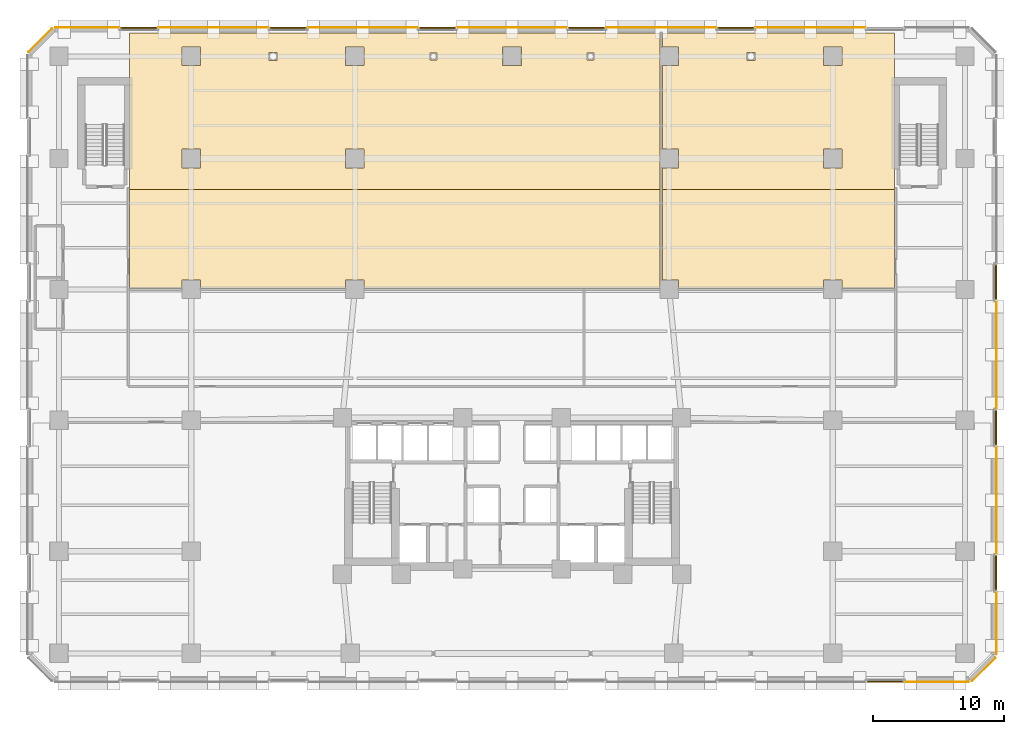
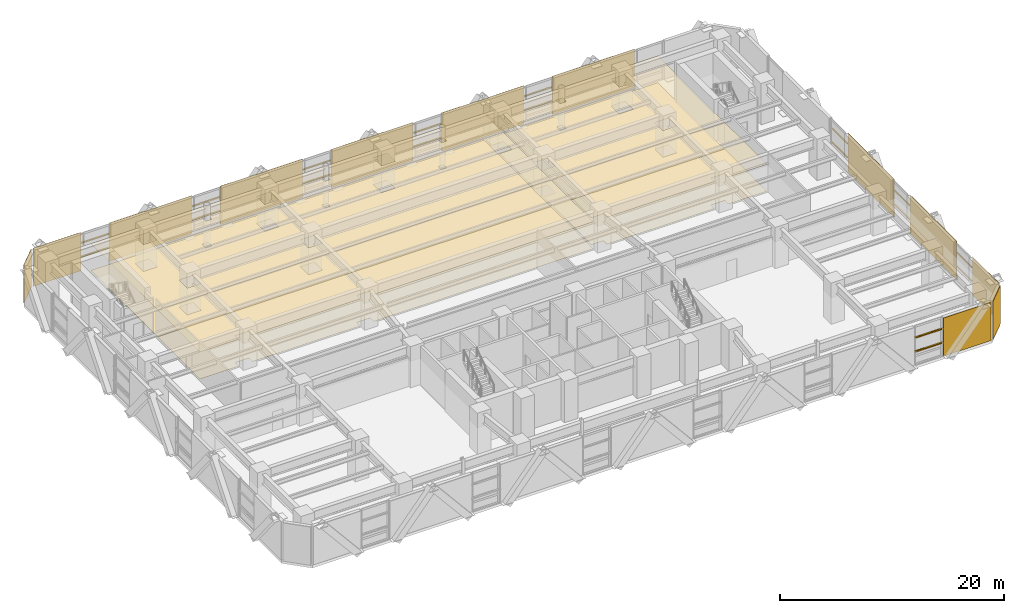
# One storey, part 25 of 26: 20 coverings, 18 shading devices.
"""IFC4 building model written with IfcOpenShell, lengths in metres."""

import ifcopenshell
import ifcopenshell.guid

model = None  # the IFC model being written
_history = None  # IfcOwnerHistory: only IFC2X3 demands one
_inside = {}  # id of a spatial element -> (the spatial element, [elements in it])
_under = {}  # id of a project, library or spatial element -> (it, [spatial elements below it])
_declared = {}  # id of a project -> (the project, [libraries it declares])
_typed = {}  # id of a type object -> (the type object, [elements of that type])
_made_of = {}  # id of a material, layer set ... -> (it, [elements and type objects made of it])


def new_model(schema):
    """Start an empty IFC model of exactly this schema.

    Asked for "IFC4X3", IfcOpenShell would pick the latest addendum, in which some entities
    have other attributes; the version numbers below select the first issue.
    IFC2X3 requires an IfcOwnerHistory on every rooted entity: one is made here for all.
    """
    global model, _history
    if schema == "IFC4X3":
        model = ifcopenshell.file(schema_version=(4, 3, 0, 0))
    else:
        model = ifcopenshell.file(schema=schema)
    _inside.clear()
    _under.clear()
    _declared.clear()
    _typed.clear()
    _made_of.clear()
    _history = None
    if model.schema == "IFC2X3":
        org = make("IfcOrganization", Name="unknown")
        user = make(
            "IfcPersonAndOrganization",
            ThePerson=make("IfcPerson", FamilyName="unknown"),
            TheOrganization=org,
        )
        app = make(
            "IfcApplication",
            ApplicationDeveloper=org,
            Version="unknown",
            ApplicationFullName="unknown",
            ApplicationIdentifier="unknown",
        )
        _history = make(
            "IfcOwnerHistory",
            OwningUser=user,
            OwningApplication=app,
            ChangeAction="ADDED",
            CreationDate=0,
        )
    return model


def make(cls, **values):
    """One entity of the class cls with the attributes given. An attribute that is None is left unset."""
    return model.create_entity(
        cls, **{name: value for name, value in values.items() if value is not None}
    )


def rooted(cls, **values):
    """An entity with a GlobalId (a new one), such as an element, a storey or a relation."""
    return make(cls, GlobalId=ifcopenshell.guid.new(), OwnerHistory=_history, **values)


def si_unit(unit_type, name, prefix=None):
    """IfcSIUnit, for example si_unit("LENGTHUNIT", "METRE", prefix="MILLI")."""
    return make("IfcSIUnit", UnitType=unit_type, Prefix=prefix, Name=name)


def assignment(units):
    """IfcUnitAssignment: the units of a project."""
    return None if units is None else make("IfcUnitAssignment", Units=units)


def point(xyz):
    """IfcCartesianPoint."""
    return None if xyz is None else make("IfcCartesianPoint", Coordinates=xyz)


def direction(xyz):
    """IfcDirection."""
    return None if xyz is None else make("IfcDirection", DirectionRatios=xyz)


def frame(location, z_axis=None, x_axis=None):
    """IfcAxis2Placement3D, a coordinate frame: its origin and axes. An axis left out is left unset."""
    return make(
        "IfcAxis2Placement3D",
        Location=point(location),
        Axis=direction(z_axis),
        RefDirection=direction(x_axis),
    )


def frame_2d(location, x_axis=None):
    """IfcAxis2Placement2D, a coordinate frame in the plane: its origin and x axis."""
    return make(
        "IfcAxis2Placement2D", Location=point(location), RefDirection=direction(x_axis)
    )


def origin():
    """The frame at (0, 0, 0) with its axes left unset."""
    return frame((0.0, 0.0, 0.0))


def origin_2d():
    """The frame at (0, 0) in the plane with its x axis left unset."""
    return frame_2d((0.0, 0.0))


def place(relative_to, where):
    """IfcLocalPlacement: puts the frame where relative to a parent placement (None: the world)."""
    return make(
        "IfcLocalPlacement", PlacementRelTo=relative_to, RelativePlacement=where
    )


def context(
    kind, dimensions, precision=None, world=None, true_north=None, identifier=None
):
    """IfcGeometricRepresentationContext, for example the 3D "Model" context."""
    return make(
        "IfcGeometricRepresentationContext",
        ContextIdentifier=identifier,
        ContextType=kind,
        CoordinateSpaceDimension=dimensions,
        Precision=precision,
        WorldCoordinateSystem=world,
        TrueNorth=true_north,
    )


def subcontext(parent, identifier, kind, view, scale=None):
    """IfcGeometricRepresentationSubContext, for example "Body" below "Model"."""
    return make(
        "IfcGeometricRepresentationSubContext",
        ContextIdentifier=identifier,
        ContextType=kind,
        ParentContext=parent,
        TargetScale=scale,
        TargetView=view,
    )


def project(units=None, contexts=None):
    """IfcProject with its units and contexts."""
    return rooted(
        "IfcProject",
        Name="project",
        RepresentationContexts=contexts,
        UnitsInContext=assignment(units),
    )


def spatial(cls, under=None, at=None, **own):
    """A site, building, storey or space (cls), placed at a placement, below another one or the project."""
    s = rooted(cls, ObjectPlacement=at, **own)
    if under is not None:
        _under.setdefault(under.id(), (under, []))[1].append(s)
    return s


def polyline(points):
    """IfcPolyline through the points."""
    return make("IfcPolyline", Points=[point(p) for p in points])


def profile(cls, at=None, kind="AREA", **sizes):
    """A parametric profile (cls). Its sizes go by their IFC names, for example OverallWidth=200.0."""
    return make(cls, ProfileType=kind, Position=at, **sizes)


def rectangle(**sizes):
    """IfcRectangleProfileDef."""
    return profile("IfcRectangleProfileDef", **sizes)


def outline(outer, holes=None, kind="AREA"):
    """IfcArbitraryClosedProfileDef: a profile drawn as a closed curve; with holes, ...WithVoids."""
    if holes is None:
        return make("IfcArbitraryClosedProfileDef", ProfileType=kind, OuterCurve=outer)
    return make(
        "IfcArbitraryProfileDefWithVoids",
        ProfileType=kind,
        OuterCurve=outer,
        InnerCurves=holes,
    )


def extrude(swept, where, along, depth):
    """IfcExtrudedAreaSolid: the profile swept, set in the frame where, extruded along a direction by depth."""
    return make(
        "IfcExtrudedAreaSolid",
        SweptArea=swept,
        Position=where,
        ExtrudedDirection=direction(along),
        Depth=depth,
    )


def shape(context_of_items, identifier, shape_type, items):
    """IfcShapeRepresentation: the items that make up one representation, for example the "Body"."""
    return make(
        "IfcShapeRepresentation",
        ContextOfItems=context_of_items,
        RepresentationIdentifier=identifier,
        RepresentationType=shape_type,
        Items=items,
    )


def material(Name=None, Category=None):
    """IfcMaterial."""
    return make("IfcMaterial", Name=Name, Category=Category)


def layer(
    of_material, thickness, ventilated=None, Name=None, Category=None, Priority=None
):
    """IfcMaterialLayer: one layer of a wall or slab, of a material (None: an air gap)."""
    return make(
        "IfcMaterialLayer",
        Material=of_material,
        LayerThickness=thickness,
        IsVentilated=ventilated,
        Name=Name,
        Category=Category,
        Priority=Priority,
    )


def layer_set(layers, Name=None):
    """IfcMaterialLayerSet."""
    return make("IfcMaterialLayerSet", MaterialLayers=layers, LayerSetName=Name)


def material_profile(
    of_material, cross_section, Name=None, Category=None, Priority=None
):
    """IfcMaterialProfile: a cross section and its material."""
    return make(
        "IfcMaterialProfile",
        Name=Name,
        Material=of_material,
        Profile=cross_section,
        Priority=Priority,
        Category=Category,
    )


def profile_set(profiles, Name=None, composite=None):
    """IfcMaterialProfileSet."""
    return make(
        "IfcMaterialProfileSet",
        Name=Name,
        MaterialProfiles=profiles,
        CompositeProfile=composite,
    )


def made_of(thing, what):
    """Note that an element or type object is made of a material, layer set ...; save() writes the relation."""
    if what is not None:
        _made_of.setdefault(what.id(), (what, []))[1].append(thing)
    return thing


def type_object(cls, material=None, **own):
    """A type object (cls), such as IfcWallType, which elements share."""
    return made_of(rooted(cls, **own), material)


def element(
    cls,
    number,
    at=None,
    inside=None,
    cuts=None,
    type_object=None,
    material=None,
    context=None,
    identifier="Body",
    shape_type=None,
    held_by="IfcProductDefinitionShape",
    body=None,
    shapes=None,
    **own,
):
    """One element of the class cls, such as IfcWall. Its Tag is "e" and its number.

    at: its placement. inside: the storey or other place that contains it. cuts: it is an
    opening in that element (IfcRelVoidsElement). A single representation is given by context,
    identifier, shape_type and body (its items); several are given by shapes. held_by: the class
    of the entity that holds the representations. save() writes the other relations.
    """
    e = rooted(cls, Tag="e%d" % number, ObjectPlacement=at, **own)
    if body is not None:
        shapes = [shape(context, identifier, shape_type, body)]
    if shapes is not None:
        e.Representation = make(held_by, Representations=shapes)
    if inside is not None:
        _inside.setdefault(inside.id(), (inside, []))[1].append(e)
    if cuts is not None:
        rooted(
            "IfcRelVoidsElement", RelatingBuildingElement=cuts, RelatedOpeningElement=e
        )
    if type_object is not None:
        _typed.setdefault(type_object.id(), (type_object, []))[1].append(e)
    return made_of(e, material)


def aggregate(whole, parts):
    """IfcRelAggregates: a whole, such as a stair, and the parts it consists of."""
    return rooted("IfcRelAggregates", RelatingObject=whole, RelatedObjects=parts)


def save(model, path):
    """Write the relations noted so far, then the file.

    IfcRelAggregates (storeys below a building ...), IfcRelContainedInSpatialStructure (elements
    in a storey), IfcRelDefinesByType, IfcRelAssociatesMaterial and IfcRelDeclares: one each for
    every whole, place, type object, material and project.
    """
    for whole, parts in _under.values():
        aggregate(whole, parts)
    for where, things in _inside.values():
        rooted(
            "IfcRelContainedInSpatialStructure",
            RelatedElements=things,
            RelatingStructure=where,
        )
    for kind, things in _typed.values():
        rooted("IfcRelDefinesByType", RelatedObjects=things, RelatingType=kind)
    for what, things in _made_of.values():
        rooted("IfcRelAssociatesMaterial", RelatedObjects=things, RelatingMaterial=what)
    for by, libraries in _declared.values():
        rooted("IfcRelDeclares", RelatingContext=by, RelatedDefinitions=libraries)
    model.write(path)


model = new_model("IFC4")

# Units and contexts
model_context = context("Model", 3, precision=1e-05, world=origin(), true_north=direction((0.0, 1.0)))
body_context = subcontext(model_context, "Body", "Model", "MODEL_VIEW")
ifc_project = project(units=[si_unit("LENGTHUNIT", "METRE"), si_unit("AREAUNIT", "SQUARE_METRE"), si_unit("VOLUMEUNIT", "CUBIC_METRE"), si_unit("PLANEANGLEUNIT", "RADIAN"), si_unit("MASSUNIT", "GRAM", prefix="KILO")], contexts=[model_context])

# Site, building, storey
site_placement = place(None, origin())
site = spatial("IfcSite", under=ifc_project, at=site_placement, CompositionType="ELEMENT")
building_placement = place(site_placement, origin())
building = spatial("IfcBuilding", under=site, at=building_placement, Name="Quenlor Broadcast Tower", CompositionType="ELEMENT")
storey_placement = place(building_placement, frame((0.0, 0.0, 14.0)))
storey = spatial("IfcBuildingStorey", under=building, at=storey_placement, Name="L03", CompositionType="ELEMENT", Elevation=14.0)

# Coverings
ifc_material_1 = material(Name="Acoustic Mineral Fibre Board", Category="other")
ifc_layer_1 = layer(ifc_material_1, 0.02490234375)
ifc_layer_set_1 = layer_set([ifc_layer_1], Name="Acoustic Perforated Mineral Tile Ceiling 25")
covering_type_1 = type_object("IfcCoveringType", Name="Acoustic Perforated Mineral Tile Ceiling 25", PredefinedType="CEILING", material=ifc_layer_set_1)
covering_1_placement = place(storey_placement, frame((0.0, 0.0, 2.925048828125)))
element("IfcCovering", 1, at=covering_1_placement, inside=storey, type_object=covering_type_1, Name="L03 Acoustic Ceiling L03-36", PredefinedType="CEILING", context=body_context, shape_type="SweptSolid", body=[
    extrude(outline(polyline([(-12.7080078125, 5.7080078125), (-12.7080078125, 5.080078125), (-23.7919921875, 5.080078125), (-23.7919921875, 5.7080078125), (-25.2080078125, 5.7080078125), (-25.2080078125, 5.080078125), (-29.199951171875, 5.080078125), (-29.199951171875, 12.64990234375), (11.320068359375, 12.64990234375), (11.320068359375, 5.7080078125), (11.2919921875, 5.7080078125), (11.2919921875, 5.080078125), (-11.2919921875, 5.080078125), (-11.2919921875, 5.7080078125), (-12.7080078125, 5.7080078125)])), origin(), (0.0, 0.0, 1.0), 0.02490234375),
])
covering_2_placement = place(storey_placement, frame((0.0, 0.0, 2.925048828125)))
element("IfcCovering", 2, at=covering_2_placement, inside=storey, type_object=covering_type_1, Name="L03 Acoustic Ceiling L03-36-2", PredefinedType="CEILING", context=body_context, shape_type="SweptSolid", body=[
    extrude(outline(polyline([(-29.199951171875, 24.580078125), (11.320068359375, 24.580078125), (11.320068359375, 23.508056640625), (11.2919921875, 23.508056640625), (11.2919921875, 22.092041015625), (11.320068359375, 22.092041015625), (11.320068359375, 15.7080078125), (11.2919921875, 15.7080078125), (11.2919921875, 14.2919921875), (11.320068359375, 14.2919921875), (11.320068359375, 12.64990234375), (-29.199951171875, 12.64990234375), (-29.199951171875, 24.580078125)]), holes=[polyline([(-23.7919921875, 14.2919921875), (-23.7919921875, 15.7080078125), (-25.2080078125, 15.7080078125), (-25.2080078125, 14.2919921875), (-23.7919921875, 14.2919921875)]), polyline([(-23.7919921875, 23.508056640625), (-25.2080078125, 23.508056640625), (-25.2080078125, 22.092041015625), (-23.7919921875, 22.092041015625), (-23.7919921875, 23.508056640625)]), polyline([(-17.93701171875, 22.487060546875), (-17.93701171875, 23.113037109375), (-18.56298828125, 23.113037109375), (-18.56298828125, 22.487060546875), (-17.93701171875, 22.487060546875)]), polyline([(-11.2919921875, 15.7080078125), (-12.7080078125, 15.7080078125), (-12.7080078125, 14.2919921875), (-11.2919921875, 14.2919921875), (-11.2919921875, 15.7080078125)]), polyline([(0.7080078125, 22.092041015625), (0.7080078125, 23.508056640625), (-0.7080078125, 23.508056640625), (-0.7080078125, 22.092041015625), (0.7080078125, 22.092041015625)]), polyline([(6.261962890625, 23.06201171875), (5.738037109375, 23.06201171875), (5.738037109375, 22.5380859375), (6.261962890625, 22.5380859375), (6.261962890625, 23.06201171875)]), polyline([(-5.738037109375, 22.5380859375), (-5.738037109375, 23.06201171875), (-6.261962890625, 23.06201171875), (-6.261962890625, 22.5380859375), (-5.738037109375, 22.5380859375)]), polyline([(-11.2919921875, 22.092041015625), (-11.2919921875, 23.508056640625), (-12.7080078125, 23.508056640625), (-12.7080078125, 22.092041015625), (-11.2919921875, 22.092041015625)])]), origin(), (0.0, 0.0, 1.0), 0.02490234375),
])
covering_3_placement = place(storey_placement, frame((0.0, 0.0, 2.925048828125)))
element("IfcCovering", 3, at=covering_3_placement, inside=storey, type_object=covering_type_1, Name="L03 Acoustic Ceiling L03-37", PredefinedType="CEILING", context=body_context, shape_type="SweptSolid", body=[
    extrude(outline(polyline([(23.7919921875, 5.7080078125), (23.7919921875, 5.080078125), (12.7080078125, 5.080078125), (12.7080078125, 5.7080078125), (11.47998046875, 5.7080078125), (11.47998046875, 12.64990234375), (29.199951171875, 12.64990234375), (29.199951171875, 5.080078125), (25.2080078125, 5.080078125), (25.2080078125, 5.7080078125), (23.7919921875, 5.7080078125)])), origin(), (0.0, 0.0, 1.0), 0.02490234375),
])
covering_4_placement = place(storey_placement, frame((0.0, 0.0, 2.925048828125)))
element("IfcCovering", 4, at=covering_4_placement, inside=storey, type_object=covering_type_1, Name="L03 Acoustic Ceiling L03-37-2", PredefinedType="CEILING", context=body_context, shape_type="SweptSolid", body=[
    extrude(outline(polyline([(11.47998046875, 14.2919921875), (12.7080078125, 14.2919921875), (12.7080078125, 15.7080078125), (11.47998046875, 15.7080078125), (11.47998046875, 22.092041015625), (12.7080078125, 22.092041015625), (12.7080078125, 23.508056640625), (11.47998046875, 23.508056640625), (11.47998046875, 24.580078125), (29.199951171875, 24.580078125), (29.199951171875, 12.64990234375), (11.47998046875, 12.64990234375), (11.47998046875, 14.2919921875)]), holes=[polyline([(25.2080078125, 14.2919921875), (25.2080078125, 15.7080078125), (23.7919921875, 15.7080078125), (23.7919921875, 14.2919921875), (25.2080078125, 14.2919921875)]), polyline([(25.2080078125, 22.092041015625), (25.2080078125, 23.508056640625), (23.7919921875, 23.508056640625), (23.7919921875, 22.092041015625), (25.2080078125, 22.092041015625)]), polyline([(18.56298828125, 22.487060546875), (18.56298828125, 23.113037109375), (17.93701171875, 23.113037109375), (17.93701171875, 22.487060546875), (18.56298828125, 22.487060546875)])]), origin(), (0.0, 0.0, 1.0), 0.02490234375),
])

# Shading devices
ifc_material_2 = material(Name="Architectural Terracotta Ceramic", Category="masonry")
ifc_material_profile = material_profile(ifc_material_2, rectangle(XDim=0.090087890625, YDim=0.139892578125, at=origin_2d()))
ifc_profile_set = profile_set([ifc_material_profile], Name="Architectural Terracotta Ceramic BAG90x140")
shading_device_type = type_object("IfcShadingDeviceType", Name="Copper Terracotta Baguette Solar Screen 140", PredefinedType="USERDEFINED", material=ifc_profile_set)
for number, where, z_axis, x_axis, name in (
    (5, (29.909423828125, -24.972900390625, 1.511962890625), (-1.0, 0.0, 0.0), (0.0, -1.0, 0.0), "L03 Terracotta Baguette Screen 1"),
    (6, (29.909423828125, -24.972900390625, 3.02392578125), (-1.0, 0.0, 0.0), (0.0, -1.0, 0.0), "L03 Terracotta Baguette Screen 2"),
    (7, (-29.909423828125, 24.972900390625, 1.511962890625), (1.0, 0.0, 0.0), (0.0, 1.0, 0.0), "L03 Terracotta Baguette Screen 1"),
    (8, (-29.909423828125, 24.972900390625, 3.02392578125), (1.0, 0.0, 0.0), (0.0, 1.0, 0.0), "L03 Terracotta Baguette Screen 2"),
):
    element("IfcShadingDevice", number, at=place(storey_placement, frame(where, z_axis=z_axis, x_axis=x_axis)), inside=storey, type_object=shading_device_type, Name=name, ObjectType="BAGUETTE", PredefinedType="USERDEFINED", context=body_context, shape_type="SweptSolid", body=[
        extrude(rectangle(XDim=0.090087890625, YDim=0.139892578125, at=origin_2d()), origin(), (0.0, 0.0, 1.0), 2.81884765625),
    ])
for number, where, z_axis, x_axis, name in (
    (9, (-18.509521484375, 24.972900390625, 1.511962890625), (1.0, 0.0, 0.0), (0.0, 1.0, 0.0), "L03 Terracotta Baguette Screen 1"),
    (10, (-18.509521484375, 24.972900390625, 3.02392578125), (1.0, 0.0, 0.0), (0.0, 1.0, 0.0), "L03 Terracotta Baguette Screen 2"),
    (11, (-7.109619140625, 24.972900390625, 1.511962890625), (1.0, 0.0, 0.0), (0.0, 1.0, 0.0), "L03 Terracotta Baguette Screen 1"),
    (12, (-7.109619140625, 24.972900390625, 3.02392578125), (1.0, 0.0, 0.0), (0.0, 1.0, 0.0), "L03 Terracotta Baguette Screen 2"),
    (13, (4.29052734375, 24.972900390625, 1.511962890625), (1.0, 0.0, 0.0), (0.0, 1.0, 0.0), "L03 Terracotta Baguette Screen 1"),
    (14, (4.29052734375, 24.972900390625, 3.02392578125), (1.0, 0.0, 0.0), (0.0, 1.0, 0.0), "L03 Terracotta Baguette Screen 2"),
    (15, (15.6904296875, 24.972900390625, 1.511962890625), (1.0, 0.0, 0.0), (0.0, 1.0, 0.0), "L03 Terracotta Baguette Screen 1"),
    (16, (15.6904296875, 24.972900390625, 3.02392578125), (1.0, 0.0, 0.0), (0.0, 1.0, 0.0), "L03 Terracotta Baguette Screen 2"),
):
    element("IfcShadingDevice", number, at=place(storey_placement, frame(where, z_axis=z_axis, x_axis=x_axis)), inside=storey, type_object=shading_device_type, Name=name, ObjectType="BAGUETTE", PredefinedType="USERDEFINED", context=body_context, shape_type="SweptSolid", body=[
        extrude(rectangle(XDim=0.090087890625, YDim=0.139892578125, at=origin_2d()), origin(), (0.0, 0.0, 1.0), 2.819091796875),
    ])
for number, where, z_axis, x_axis, name in (
    (17, (36.972900390625, 6.90625, 1.511962890625), (0.0, -1.0, 0.0), (1.0, 0.0, 0.0), "L03 Terracotta Baguette Screen 1"),
    (18, (36.972900390625, 6.90625, 3.02392578125), (0.0, -1.0, 0.0), (1.0, 0.0, 0.0), "L03 Terracotta Baguette Screen 2"),
    (19, (36.972900390625, -4.193603515625, 1.511962890625), (0.0, -1.0, 0.0), (1.0, 0.0, 0.0), "L03 Terracotta Baguette Screen 1"),
    (20, (36.972900390625, -4.193603515625, 3.02392578125), (0.0, -1.0, 0.0), (1.0, 0.0, 0.0), "L03 Terracotta Baguette Screen 2"),
    (21, (36.972900390625, -15.293701171875, 1.511962890625), (0.0, -1.0, 0.0), (1.0, 0.0, 0.0), "L03 Terracotta Baguette Screen 1"),
    (22, (36.972900390625, -15.293701171875, 3.02392578125), (0.0, -1.0, 0.0), (1.0, 0.0, 0.0), "L03 Terracotta Baguette Screen 2"),
):
    element("IfcShadingDevice", number, at=place(storey_placement, frame(where, z_axis=z_axis, x_axis=x_axis)), inside=storey, type_object=shading_device_type, Name=name, ObjectType="BAGUETTE", PredefinedType="USERDEFINED", context=body_context, shape_type="SweptSolid", body=[
        extrude(rectangle(XDim=0.090087890625, YDim=0.139892578125, at=origin_2d()), origin(), (0.0, 0.0, 1.0), 2.712646484375),
    ])

# Coverings
ifc_material_3 = material(Name="Architectural Terracotta Ceramic", Category="masonry")
ifc_layer_2 = layer(ifc_material_3, 0.044921875)
ifc_layer_set_2 = layer_set([ifc_layer_2], Name="Fluted Terracotta Rainscreen Cladding Panel")
covering_type_2 = type_object("IfcCoveringType", Name="Fluted Terracotta Rainscreen Cladding Panel", PredefinedType="CLADDING", material=ifc_layer_set_2)
covering_5_placement = place(storey_placement, frame((0.0, 0.0, 0.02001953125)))
element("IfcCovering", 23, at=covering_5_placement, inside=storey, type_object=covering_type_2, Name="L03 Terracotta Rainscreen Cladding L03-S-FULL-SP1", PredefinedType="CLADDING", context=body_context, shape_type="SweptSolid", body=[
    extrude(outline(polyline([(34.8701171875, -24.971923828125), (29.98046875, -24.971923828125), (29.98046875, -25.01708984375), (34.8701171875, -25.01708984375), (34.8701171875, -24.971923828125)])), origin(), (0.0, 0.0, 1.0), 4.159912109375),
])
covering_6_placement = place(storey_placement, frame((0.0, 0.0, 0.02001953125)))
element("IfcCovering", 24, at=covering_6_placement, inside=storey, type_object=covering_type_2, Name="L03 Terracotta Rainscreen Cladding L03-N-FULL-SP1", PredefinedType="CLADDING", context=body_context, shape_type="SweptSolid", body=[
    extrude(outline(polyline([(-34.8701171875, 24.971923828125), (-29.98046875, 24.971923828125), (-29.98046875, 25.01708984375), (-34.8701171875, 25.01708984375), (-34.8701171875, 24.971923828125)])), origin(), (0.0, 0.0, 1.0), 4.159912109375),
])
covering_7_placement = place(storey_placement, frame((0.0, 0.0, 0.02001953125)))
element("IfcCovering", 25, at=covering_7_placement, inside=storey, type_object=covering_type_2, Name="L03 Terracotta Rainscreen Cladding L03-N-FULL-SP2", PredefinedType="CLADDING", context=body_context, shape_type="SweptSolid", body=[
    extrude(outline(polyline([(-27.01953125, 24.971923828125), (-18.58056640625, 24.971923828125), (-18.58056640625, 25.01708984375), (-27.01953125, 25.01708984375), (-27.01953125, 24.971923828125)])), origin(), (0.0, 0.0, 1.0), 4.159912109375),
])
covering_8_placement = place(storey_placement, frame((0.0, 0.0, 0.02001953125)))
element("IfcCovering", 26, at=covering_8_placement, inside=storey, type_object=covering_type_2, Name="L03 Terracotta Rainscreen Cladding L03-N-FULL-SP3", PredefinedType="CLADDING", context=body_context, shape_type="SweptSolid", body=[
    extrude(outline(polyline([(-15.619384765625, 24.971923828125), (-7.180419921875, 24.971923828125), (-7.180419921875, 25.01708984375), (-15.619384765625, 25.01708984375), (-15.619384765625, 24.971923828125)])), origin(), (0.0, 0.0, 1.0), 4.159912109375),
])
covering_9_placement = place(storey_placement, frame((0.0, 0.0, 0.02001953125)))
element("IfcCovering", 27, at=covering_9_placement, inside=storey, type_object=covering_type_2, Name="L03 Terracotta Rainscreen Cladding L03-N-FULL-SP4", PredefinedType="CLADDING", context=body_context, shape_type="SweptSolid", body=[
    extrude(outline(polyline([(-4.219482421875, 24.971923828125), (4.219482421875, 24.971923828125), (4.219482421875, 25.01708984375), (-4.219482421875, 25.01708984375), (-4.219482421875, 24.971923828125)])), origin(), (0.0, 0.0, 1.0), 4.159912109375),
])
covering_10_placement = place(storey_placement, frame((0.0, 0.0, 0.02001953125)))
element("IfcCovering", 28, at=covering_10_placement, inside=storey, type_object=covering_type_2, Name="L03 Terracotta Rainscreen Cladding L03-N-FULL-SP5", PredefinedType="CLADDING", context=body_context, shape_type="SweptSolid", body=[
    extrude(outline(polyline([(7.180419921875, 24.971923828125), (15.619384765625, 24.971923828125), (15.619384765625, 25.01708984375), (7.180419921875, 25.01708984375), (7.180419921875, 24.971923828125)])), origin(), (0.0, 0.0, 1.0), 4.159912109375),
])
covering_11_placement = place(storey_placement, frame((0.0, 0.0, 0.02001953125)))
element("IfcCovering", 29, at=covering_11_placement, inside=storey, type_object=covering_type_2, Name="L03 Terracotta Rainscreen Cladding L03-N-FULL-SP6", PredefinedType="CLADDING", context=body_context, shape_type="SweptSolid", body=[
    extrude(outline(polyline([(18.58056640625, 24.971923828125), (27.01953125, 24.971923828125), (27.01953125, 25.01708984375), (18.58056640625, 25.01708984375), (18.58056640625, 24.971923828125)])), origin(), (0.0, 0.0, 1.0), 4.159912109375),
])
covering_12_placement = place(storey_placement, frame((0.0, 0.0, 0.02001953125)))
element("IfcCovering", 30, at=covering_12_placement, inside=storey, type_object=covering_type_2, Name="L03 Terracotta Rainscreen Cladding L03-E-FULL-SP3", PredefinedType="CLADDING", context=body_context, shape_type="SweptSolid", body=[
    extrude(outline(polyline([(36.971923828125, 4.122802734375), (36.971923828125, -4.122802734375), (37.01708984375, -4.122802734375), (37.01708984375, 4.122802734375), (36.971923828125, 4.122802734375)])), origin(), (0.0, 0.0, 1.0), 4.159912109375),
])
covering_13_placement = place(storey_placement, frame((0.0, 0.0, 0.02001953125)))
element("IfcCovering", 31, at=covering_13_placement, inside=storey, type_object=covering_type_2, Name="L03 Terracotta Rainscreen Cladding L03-E-FULL-SP4", PredefinedType="CLADDING", context=body_context, shape_type="SweptSolid", body=[
    extrude(outline(polyline([(36.971923828125, -6.977294921875), (36.971923828125, -15.22265625), (37.01708984375, -15.22265625), (37.01708984375, -6.977294921875), (36.971923828125, -6.977294921875)])), origin(), (0.0, 0.0, 1.0), 4.159912109375),
])
covering_14_placement = place(storey_placement, frame((0.0, 0.0, 0.02001953125)))
element("IfcCovering", 32, at=covering_14_placement, inside=storey, type_object=covering_type_2, Name="L03 Terracotta Rainscreen Cladding L03-E-FULL-SP5", PredefinedType="CLADDING", context=body_context, shape_type="SweptSolid", body=[
    extrude(outline(polyline([(36.971923828125, -18.077392578125), (36.971923828125, -22.8701171875), (37.01708984375, -22.8701171875), (37.01708984375, -18.077392578125), (36.971923828125, -18.077392578125)])), origin(), (0.0, 0.0, 1.0), 4.159912109375),
])
covering_15_placement = place(storey_placement, frame((0.0, 0.0, 0.02001953125)))
element("IfcCovering", 33, at=covering_15_placement, inside=storey, type_object=covering_type_2, Name="L03 Terracotta Rainscreen Cladding L03-EW-CSE", PredefinedType="CLADDING", context=body_context, shape_type="SweptSolid", body=[
    extrude(outline(polyline([(36.90625, -23.128662109375), (35.128662109375, -24.90625), (35.160400390625, -24.93798828125), (36.93798828125, -23.160400390625), (36.90625, -23.128662109375)])), origin(), (0.0, 0.0, 1.0), 4.159912109375),
])
covering_16_placement = place(storey_placement, frame((0.0, 0.0, 0.02001953125)))
element("IfcCovering", 34, at=covering_16_placement, inside=storey, type_object=covering_type_2, Name="L03 Terracotta Rainscreen Cladding L03-EW-CNW", PredefinedType="CLADDING", context=body_context, shape_type="SweptSolid", body=[
    extrude(outline(polyline([(-36.90625, 23.128662109375), (-35.128662109375, 24.90625), (-35.160400390625, 24.93798828125), (-36.93798828125, 23.160400390625), (-36.90625, 23.128662109375)])), origin(), (0.0, 0.0, 1.0), 4.159912109375),
])
ifc_material_4 = material(Name="Terrazzo Stone Finish", Category="masonry")
ifc_layer_3 = layer(ifc_material_4, 0.02001953125)
ifc_layer_set_3 = layer_set([ifc_layer_3], Name="Polished Sandstone Terrazzo Flooring 20")
covering_type_3 = type_object("IfcCoveringType", Name="Polished Sandstone Terrazzo Flooring 20", PredefinedType="FLOORING", material=ifc_layer_set_3)
covering_17_placement = place(storey_placement, origin())
element("IfcCovering", 35, at=covering_17_placement, inside=storey, type_object=covering_type_3, Name="L03 Terrazzo Flooring L03-36", PredefinedType="FLOORING", context=body_context, shape_type="SweptSolid", body=[
    extrude(outline(polyline([(-12.7080078125, 5.7080078125), (-12.7080078125, 5.080078125), (-23.7919921875, 5.080078125), (-23.7919921875, 5.7080078125), (-25.2080078125, 5.7080078125), (-25.2080078125, 5.080078125), (-29.199951171875, 5.080078125), (-29.199951171875, 12.64990234375), (11.320068359375, 12.64990234375), (11.320068359375, 5.7080078125), (11.2919921875, 5.7080078125), (11.2919921875, 5.080078125), (-11.2919921875, 5.080078125), (-11.2919921875, 5.7080078125), (-12.7080078125, 5.7080078125)])), origin(), (0.0, 0.0, 1.0), 0.02001953125),
])
covering_18_placement = place(storey_placement, origin())
element("IfcCovering", 36, at=covering_18_placement, inside=storey, type_object=covering_type_3, Name="L03 Terrazzo Flooring L03-36-2", PredefinedType="FLOORING", context=body_context, shape_type="SweptSolid", body=[
    extrude(outline(polyline([(-29.199951171875, 24.580078125), (11.320068359375, 24.580078125), (11.320068359375, 23.508056640625), (11.2919921875, 23.508056640625), (11.2919921875, 22.092041015625), (11.320068359375, 22.092041015625), (11.320068359375, 15.7080078125), (11.2919921875, 15.7080078125), (11.2919921875, 14.2919921875), (11.320068359375, 14.2919921875), (11.320068359375, 12.64990234375), (-29.199951171875, 12.64990234375), (-29.199951171875, 24.580078125)]), holes=[polyline([(-23.7919921875, 14.2919921875), (-23.7919921875, 15.7080078125), (-25.2080078125, 15.7080078125), (-25.2080078125, 14.2919921875), (-23.7919921875, 14.2919921875)]), polyline([(-23.7919921875, 23.508056640625), (-25.2080078125, 23.508056640625), (-25.2080078125, 22.092041015625), (-23.7919921875, 22.092041015625), (-23.7919921875, 23.508056640625)]), polyline([(-17.93701171875, 22.487060546875), (-17.93701171875, 23.113037109375), (-18.56298828125, 23.113037109375), (-18.56298828125, 22.487060546875), (-17.93701171875, 22.487060546875)]), polyline([(-11.2919921875, 15.7080078125), (-12.7080078125, 15.7080078125), (-12.7080078125, 14.2919921875), (-11.2919921875, 14.2919921875), (-11.2919921875, 15.7080078125)]), polyline([(0.7080078125, 22.092041015625), (0.7080078125, 23.508056640625), (-0.7080078125, 23.508056640625), (-0.7080078125, 22.092041015625), (0.7080078125, 22.092041015625)]), polyline([(6.261962890625, 23.06201171875), (5.738037109375, 23.06201171875), (5.738037109375, 22.5380859375), (6.261962890625, 22.5380859375), (6.261962890625, 23.06201171875)]), polyline([(-5.738037109375, 22.5380859375), (-5.738037109375, 23.06201171875), (-6.261962890625, 23.06201171875), (-6.261962890625, 22.5380859375), (-5.738037109375, 22.5380859375)]), polyline([(-11.2919921875, 22.092041015625), (-11.2919921875, 23.508056640625), (-12.7080078125, 23.508056640625), (-12.7080078125, 22.092041015625), (-11.2919921875, 22.092041015625)])]), origin(), (0.0, 0.0, 1.0), 0.02001953125),
])
covering_19_placement = place(storey_placement, origin())
element("IfcCovering", 37, at=covering_19_placement, inside=storey, type_object=covering_type_3, Name="L03 Terrazzo Flooring L03-37", PredefinedType="FLOORING", context=body_context, shape_type="SweptSolid", body=[
    extrude(outline(polyline([(23.7919921875, 5.7080078125), (23.7919921875, 5.080078125), (12.7080078125, 5.080078125), (12.7080078125, 5.7080078125), (11.47998046875, 5.7080078125), (11.47998046875, 12.64990234375), (29.199951171875, 12.64990234375), (29.199951171875, 5.080078125), (25.2080078125, 5.080078125), (25.2080078125, 5.7080078125), (23.7919921875, 5.7080078125)])), origin(), (0.0, 0.0, 1.0), 0.02001953125),
])
covering_20_placement = place(storey_placement, origin())
element("IfcCovering", 38, at=covering_20_placement, inside=storey, type_object=covering_type_3, Name="L03 Terrazzo Flooring L03-37-2", PredefinedType="FLOORING", context=body_context, shape_type="SweptSolid", body=[
    extrude(outline(polyline([(11.47998046875, 14.2919921875), (12.7080078125, 14.2919921875), (12.7080078125, 15.7080078125), (11.47998046875, 15.7080078125), (11.47998046875, 22.092041015625), (12.7080078125, 22.092041015625), (12.7080078125, 23.508056640625), (11.47998046875, 23.508056640625), (11.47998046875, 24.580078125), (29.199951171875, 24.580078125), (29.199951171875, 12.64990234375), (11.47998046875, 12.64990234375), (11.47998046875, 14.2919921875)]), holes=[polyline([(25.2080078125, 14.2919921875), (25.2080078125, 15.7080078125), (23.7919921875, 15.7080078125), (23.7919921875, 14.2919921875), (25.2080078125, 14.2919921875)]), polyline([(25.2080078125, 22.092041015625), (25.2080078125, 23.508056640625), (23.7919921875, 23.508056640625), (23.7919921875, 22.092041015625), (25.2080078125, 22.092041015625)]), polyline([(18.56298828125, 22.487060546875), (18.56298828125, 23.113037109375), (17.93701171875, 23.113037109375), (17.93701171875, 22.487060546875), (18.56298828125, 22.487060546875)])]), origin(), (0.0, 0.0, 1.0), 0.02001953125),
])

save(model, "model.ifc")
